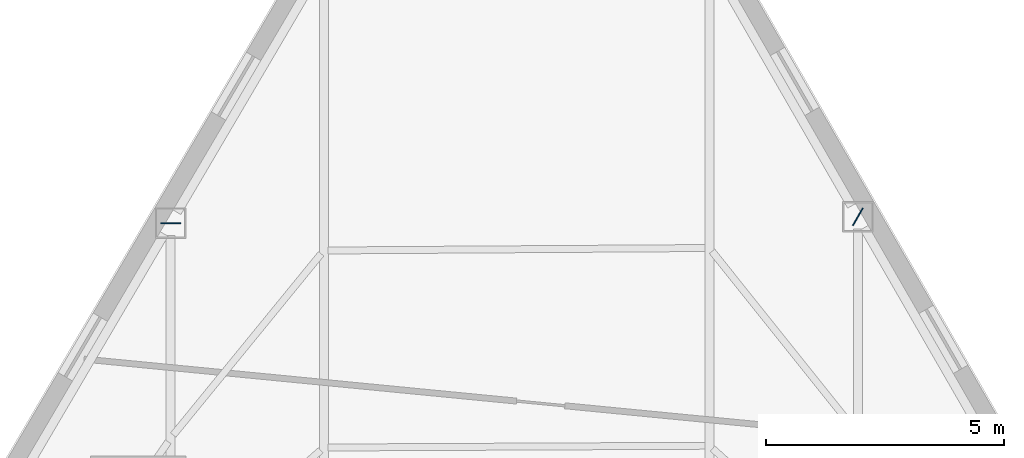
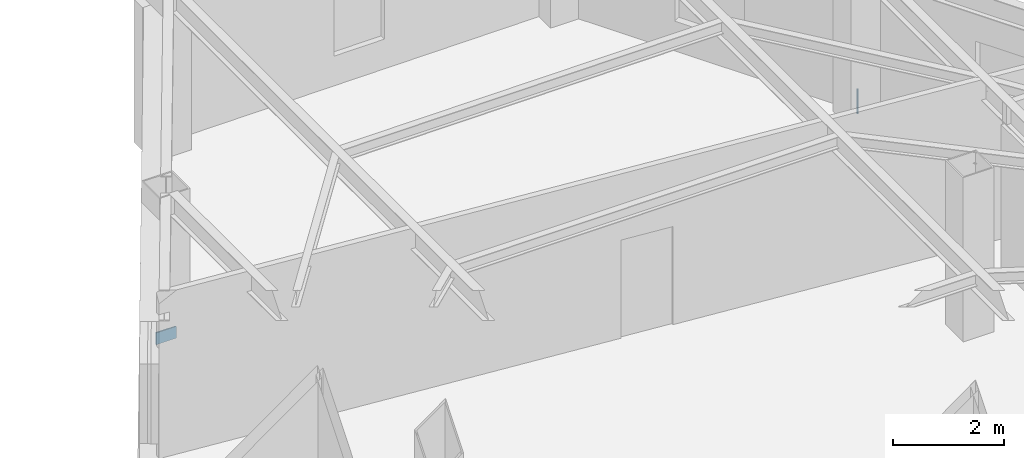
# One storey, part 7 of 14: 2 plates.
"""IFC4 building model written with IfcOpenShell, lengths in metres."""

from ifc_helpers import new_model, si_unit, direction, frame, origin, origin_2d, place, context, subcontext, project, spatial, rectangle, extrude, material, layer, layer_set, type_object, element, save


model = new_model("IFC4")

# Units and contexts
model_context = context("Model", 3, precision=1e-05, world=origin(), true_north=direction((0.0, 1.0)))
body_context = subcontext(model_context, "Body", "Model", "MODEL_VIEW")
ifc_project = project(units=[si_unit("LENGTHUNIT", "METRE"), si_unit("AREAUNIT", "SQUARE_METRE"), si_unit("VOLUMEUNIT", "CUBIC_METRE"), si_unit("PLANEANGLEUNIT", "RADIAN"), si_unit("MASSUNIT", "GRAM", prefix="KILO")], contexts=[model_context])

# Site, building, storey
site_placement = place(None, origin())
site = spatial("IfcSite", under=ifc_project, at=site_placement, CompositionType="ELEMENT")
building_placement = place(site_placement, origin())
building = spatial("IfcBuilding", under=site, at=building_placement, Name="Kavelnor Concourse Tower", CompositionType="ELEMENT")
storey_placement = place(building_placement, frame((0.0, 0.0, 215.050048828125)))
storey = spatial("IfcBuildingStorey", under=building, at=storey_placement, Name="L54", CompositionType="ELEMENT", Elevation=215.050048828125)

# Plates
ifc_material = material(Name="Steel Grade 350", Category="steel")
ifc_layer = layer(ifc_material, 0.02490234375, Name="Steel Grade 350")
ifc_layer_set = layer_set([ifc_layer], Name="Steel Grade 350")
plate_type = type_object("IfcPlateType", Name="PL-SPLICE-FLANGE", PredefinedType="SHEET", material=ifc_layer_set)
for number, where, z_axis, x_axis, name in (
    (1, (30.67626953125, 38.447265625, 0.169921875), (0.0, 0.0, 1.0), (1.0, 0.0, 0.0), "L54 Column Flange Splice Plate F0-B1"),
    (2, (45.089111328125, 38.57958984375, 0.169921875), (0.0, 0.0, 1.0), (-0.5, -0.866025403784, 0.0), "L54 Column Flange Splice Plate F2-B5"),
):
    element("IfcPlate", number, at=place(storey_placement, frame(where, z_axis=z_axis, x_axis=x_axis)), inside=storey, type_object=plate_type, Name=name, PredefinedType="SHEET", context=body_context, shape_type="SweptSolid", body=[
        extrude(rectangle(XDim=0.419921875, YDim=0.02490234375, at=origin_2d()), origin(), (0.0, 0.0, 1.0), 0.260009765625),
    ])

save(model, "model.ifc")
